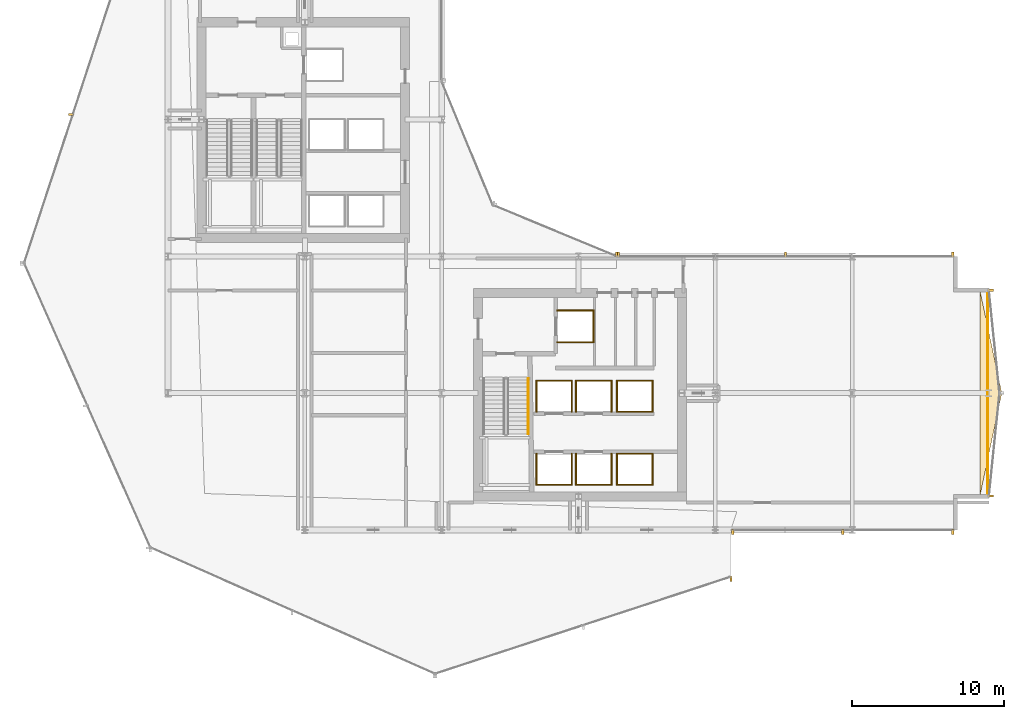
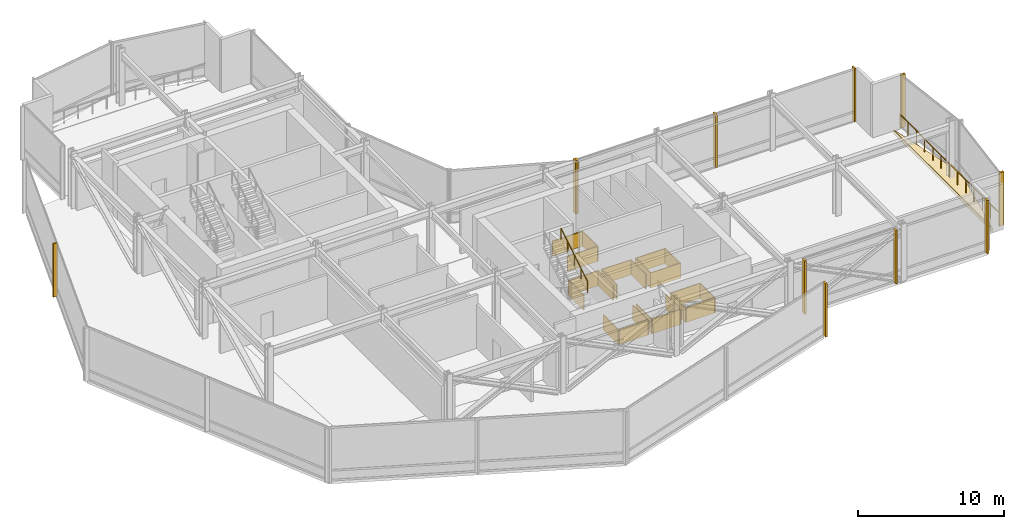
# One storey, part 40 of 42: 24 coverings, 11 shading devices, 2 railings.
"""IFC4 building model written with IfcOpenShell, lengths in metres."""

import ifcopenshell
import ifcopenshell.guid

model = None  # the IFC model being written
_history = None  # IfcOwnerHistory: only IFC2X3 demands one
_inside = {}  # id of a spatial element -> (the spatial element, [elements in it])
_under = {}  # id of a project, library or spatial element -> (it, [spatial elements below it])
_declared = {}  # id of a project -> (the project, [libraries it declares])
_typed = {}  # id of a type object -> (the type object, [elements of that type])
_made_of = {}  # id of a material, layer set ... -> (it, [elements and type objects made of it])


def new_model(schema):
    """Start an empty IFC model of exactly this schema.

    Asked for "IFC4X3", IfcOpenShell would pick the latest addendum, in which some entities
    have other attributes; the version numbers below select the first issue.
    IFC2X3 requires an IfcOwnerHistory on every rooted entity: one is made here for all.
    """
    global model, _history
    if schema == "IFC4X3":
        model = ifcopenshell.file(schema_version=(4, 3, 0, 0))
    else:
        model = ifcopenshell.file(schema=schema)
    _inside.clear()
    _under.clear()
    _declared.clear()
    _typed.clear()
    _made_of.clear()
    _history = None
    if model.schema == "IFC2X3":
        org = make("IfcOrganization", Name="unknown")
        user = make(
            "IfcPersonAndOrganization",
            ThePerson=make("IfcPerson", FamilyName="unknown"),
            TheOrganization=org,
        )
        app = make(
            "IfcApplication",
            ApplicationDeveloper=org,
            Version="unknown",
            ApplicationFullName="unknown",
            ApplicationIdentifier="unknown",
        )
        _history = make(
            "IfcOwnerHistory",
            OwningUser=user,
            OwningApplication=app,
            ChangeAction="ADDED",
            CreationDate=0,
        )
    return model


def make(cls, **values):
    """One entity of the class cls with the attributes given. An attribute that is None is left unset."""
    return model.create_entity(
        cls, **{name: value for name, value in values.items() if value is not None}
    )


def rooted(cls, **values):
    """An entity with a GlobalId (a new one), such as an element, a storey or a relation."""
    return make(cls, GlobalId=ifcopenshell.guid.new(), OwnerHistory=_history, **values)


def si_unit(unit_type, name, prefix=None):
    """IfcSIUnit, for example si_unit("LENGTHUNIT", "METRE", prefix="MILLI")."""
    return make("IfcSIUnit", UnitType=unit_type, Prefix=prefix, Name=name)


def assignment(units):
    """IfcUnitAssignment: the units of a project."""
    return None if units is None else make("IfcUnitAssignment", Units=units)


def point(xyz):
    """IfcCartesianPoint."""
    return None if xyz is None else make("IfcCartesianPoint", Coordinates=xyz)


def direction(xyz):
    """IfcDirection."""
    return None if xyz is None else make("IfcDirection", DirectionRatios=xyz)


def frame(location, z_axis=None, x_axis=None):
    """IfcAxis2Placement3D, a coordinate frame: its origin and axes. An axis left out is left unset."""
    return make(
        "IfcAxis2Placement3D",
        Location=point(location),
        Axis=direction(z_axis),
        RefDirection=direction(x_axis),
    )


def frame_2d(location, x_axis=None):
    """IfcAxis2Placement2D, a coordinate frame in the plane: its origin and x axis."""
    return make(
        "IfcAxis2Placement2D", Location=point(location), RefDirection=direction(x_axis)
    )


def origin():
    """The frame at (0, 0, 0) with its axes left unset."""
    return frame((0.0, 0.0, 0.0))


def origin_2d():
    """The frame at (0, 0) in the plane with its x axis left unset."""
    return frame_2d((0.0, 0.0))


def place(relative_to, where):
    """IfcLocalPlacement: puts the frame where relative to a parent placement (None: the world)."""
    return make(
        "IfcLocalPlacement", PlacementRelTo=relative_to, RelativePlacement=where
    )


def context(
    kind, dimensions, precision=None, world=None, true_north=None, identifier=None
):
    """IfcGeometricRepresentationContext, for example the 3D "Model" context."""
    return make(
        "IfcGeometricRepresentationContext",
        ContextIdentifier=identifier,
        ContextType=kind,
        CoordinateSpaceDimension=dimensions,
        Precision=precision,
        WorldCoordinateSystem=world,
        TrueNorth=true_north,
    )


def subcontext(parent, identifier, kind, view, scale=None):
    """IfcGeometricRepresentationSubContext, for example "Body" below "Model"."""
    return make(
        "IfcGeometricRepresentationSubContext",
        ContextIdentifier=identifier,
        ContextType=kind,
        ParentContext=parent,
        TargetScale=scale,
        TargetView=view,
    )


def project(units=None, contexts=None):
    """IfcProject with its units and contexts."""
    return rooted(
        "IfcProject",
        Name="project",
        RepresentationContexts=contexts,
        UnitsInContext=assignment(units),
    )


def spatial(cls, under=None, at=None, **own):
    """A site, building, storey or space (cls), placed at a placement, below another one or the project."""
    s = rooted(cls, ObjectPlacement=at, **own)
    if under is not None:
        _under.setdefault(under.id(), (under, []))[1].append(s)
    return s


def polyline(points):
    """IfcPolyline through the points."""
    return make("IfcPolyline", Points=[point(p) for p in points])


def profile(cls, at=None, kind="AREA", **sizes):
    """A parametric profile (cls). Its sizes go by their IFC names, for example OverallWidth=200.0."""
    return make(cls, ProfileType=kind, Position=at, **sizes)


def rectangle(**sizes):
    """IfcRectangleProfileDef."""
    return profile("IfcRectangleProfileDef", **sizes)


def circle(**sizes):
    """IfcCircleProfileDef."""
    return profile("IfcCircleProfileDef", **sizes)


def outline(outer, holes=None, kind="AREA"):
    """IfcArbitraryClosedProfileDef: a profile drawn as a closed curve; with holes, ...WithVoids."""
    if holes is None:
        return make("IfcArbitraryClosedProfileDef", ProfileType=kind, OuterCurve=outer)
    return make(
        "IfcArbitraryProfileDefWithVoids",
        ProfileType=kind,
        OuterCurve=outer,
        InnerCurves=holes,
    )


def extrude(swept, where, along, depth):
    """IfcExtrudedAreaSolid: the profile swept, set in the frame where, extruded along a direction by depth."""
    return make(
        "IfcExtrudedAreaSolid",
        SweptArea=swept,
        Position=where,
        ExtrudedDirection=direction(along),
        Depth=depth,
    )


def shape(context_of_items, identifier, shape_type, items):
    """IfcShapeRepresentation: the items that make up one representation, for example the "Body"."""
    return make(
        "IfcShapeRepresentation",
        ContextOfItems=context_of_items,
        RepresentationIdentifier=identifier,
        RepresentationType=shape_type,
        Items=items,
    )


def material(Name=None, Category=None):
    """IfcMaterial."""
    return make("IfcMaterial", Name=Name, Category=Category)


def layer(
    of_material, thickness, ventilated=None, Name=None, Category=None, Priority=None
):
    """IfcMaterialLayer: one layer of a wall or slab, of a material (None: an air gap)."""
    return make(
        "IfcMaterialLayer",
        Material=of_material,
        LayerThickness=thickness,
        IsVentilated=ventilated,
        Name=Name,
        Category=Category,
        Priority=Priority,
    )


def layer_set(layers, Name=None):
    """IfcMaterialLayerSet."""
    return make("IfcMaterialLayerSet", MaterialLayers=layers, LayerSetName=Name)


def made_of(thing, what):
    """Note that an element or type object is made of a material, layer set ...; save() writes the relation."""
    if what is not None:
        _made_of.setdefault(what.id(), (what, []))[1].append(thing)
    return thing


def type_object(cls, material=None, **own):
    """A type object (cls), such as IfcWallType, which elements share."""
    return made_of(rooted(cls, **own), material)


def element(
    cls,
    number,
    at=None,
    inside=None,
    cuts=None,
    type_object=None,
    material=None,
    context=None,
    identifier="Body",
    shape_type=None,
    held_by="IfcProductDefinitionShape",
    body=None,
    shapes=None,
    **own,
):
    """One element of the class cls, such as IfcWall. Its Tag is "e" and its number.

    at: its placement. inside: the storey or other place that contains it. cuts: it is an
    opening in that element (IfcRelVoidsElement). A single representation is given by context,
    identifier, shape_type and body (its items); several are given by shapes. held_by: the class
    of the entity that holds the representations. save() writes the other relations.
    """
    e = rooted(cls, Tag="e%d" % number, ObjectPlacement=at, **own)
    if body is not None:
        shapes = [shape(context, identifier, shape_type, body)]
    if shapes is not None:
        e.Representation = make(held_by, Representations=shapes)
    if inside is not None:
        _inside.setdefault(inside.id(), (inside, []))[1].append(e)
    if cuts is not None:
        rooted(
            "IfcRelVoidsElement", RelatingBuildingElement=cuts, RelatedOpeningElement=e
        )
    if type_object is not None:
        _typed.setdefault(type_object.id(), (type_object, []))[1].append(e)
    return made_of(e, material)


def aggregate(whole, parts):
    """IfcRelAggregates: a whole, such as a stair, and the parts it consists of."""
    return rooted("IfcRelAggregates", RelatingObject=whole, RelatedObjects=parts)


def save(model, path):
    """Write the relations noted so far, then the file.

    IfcRelAggregates (storeys below a building ...), IfcRelContainedInSpatialStructure (elements
    in a storey), IfcRelDefinesByType, IfcRelAssociatesMaterial and IfcRelDeclares: one each for
    every whole, place, type object, material and project.
    """
    for whole, parts in _under.values():
        aggregate(whole, parts)
    for where, things in _inside.values():
        rooted(
            "IfcRelContainedInSpatialStructure",
            RelatedElements=things,
            RelatingStructure=where,
        )
    for kind, things in _typed.values():
        rooted("IfcRelDefinesByType", RelatedObjects=things, RelatingType=kind)
    for what, things in _made_of.values():
        rooted("IfcRelAssociatesMaterial", RelatedObjects=things, RelatingMaterial=what)
    for by, libraries in _declared.values():
        rooted("IfcRelDeclares", RelatingContext=by, RelatedDefinitions=libraries)
    model.write(path)


model = new_model("IFC4")

# Units and contexts
model_context = context("Model", 3, precision=1e-05, world=origin(), true_north=direction((0.0, 1.0)))
body_context = subcontext(model_context, "Body", "Model", "MODEL_VIEW")
ifc_project = project(units=[si_unit("LENGTHUNIT", "METRE"), si_unit("AREAUNIT", "SQUARE_METRE"), si_unit("VOLUMEUNIT", "CUBIC_METRE"), si_unit("PLANEANGLEUNIT", "RADIAN"), si_unit("MASSUNIT", "GRAM", prefix="KILO")], contexts=[model_context])

# Site, building, storey
site_placement = place(None, origin())
site = spatial("IfcSite", under=ifc_project, at=site_placement, CompositionType="ELEMENT")
building_placement = place(site_placement, origin())
building = spatial("IfcBuilding", under=site, at=building_placement, Name="Solvaryn Broadcast Tower", CompositionType="ELEMENT")
storey_placement = place(building_placement, frame((0.0, 0.0, 100.199951171875)))
storey = spatial("IfcBuildingStorey", under=building, at=storey_placement, Name="L24", CompositionType="ELEMENT", Elevation=100.199951171875)

# Coverings
ifc_material_1 = material(Name="Fire-Rated Gypsum Shaftwall Liner", Category="concrete")
ifc_layer_1 = layer(ifc_material_1, 0.080078125)
ifc_layer_set_1 = layer_set([ifc_layer_1], Name="CV-SHAFT-LINER")
covering_type_1 = type_object("IfcCoveringType", Name="CV-SHAFT-LINER", PredefinedType="CLADDING", material=ifc_layer_set_1)
for number, where, z_axis, x_axis, name in (
    (1, (35.800048828125, 23.43994140625, 0.0), (0.0, 0.0, 1.0), (1.0, 0.0, 0.0), "L24 FL2 Hoistway Shaft Liner North"),
    (2, (35.800048828125, 21.360107421875, 0.0), (0.0, 0.0, 1.0), (1.0, 0.0, 0.0), "L24 FL2 Hoistway Shaft Liner South"),
):
    element("IfcCovering", number, at=place(storey_placement, frame(where, z_axis=z_axis, x_axis=x_axis)), inside=storey, type_object=covering_type_1, Name=name, PredefinedType="CLADDING", context=body_context, shape_type="SweptSolid", body=[
        extrude(rectangle(XDim=2.4599609375, YDim=0.080078125, at=origin_2d()), origin(), (0.0, 0.0, 1.0), 1.25),
    ])
covering_1_placement = place(storey_placement, frame((36.989990234375, 22.39990234375, 0.0), z_axis=(0.0, 0.0, 1.0), x_axis=(1.0, 0.0, 0.0)))
element("IfcCovering", 3, at=covering_1_placement, inside=storey, type_object=covering_type_1, Name="L24 FL2 Hoistway Shaft Liner East", PredefinedType="CLADDING", context=body_context, shape_type="SweptSolid", body=[
    extrude(rectangle(XDim=0.080078125, YDim=2.159912109375, at=origin_2d()), origin(), (0.0, 0.0, 1.0), 1.25),
])
covering_2_placement = place(storey_placement, frame((34.39990234375, 11.985107421875, 0.0), z_axis=(0.0, 0.0, 1.0), x_axis=(1.0, 0.0, 0.0)))
element("IfcCovering", 4, at=covering_2_placement, inside=storey, type_object=covering_type_1, Name="L24 PL1 Hoistway Shaft Liner South", PredefinedType="CLADDING", context=body_context, shape_type="SweptSolid", body=[
    extrude(rectangle(XDim=2.409912109375, YDim=0.080078125, at=origin_2d()), origin(), (0.0, 0.0, 1.0), 1.25),
])
for number, where, z_axis, x_axis, name in (
    (5, (35.56494140625, 13.0, 0.0), (0.0, 0.0, 1.0), (1.0, 0.0, 0.0), "L24 PL1 Hoistway Shaft Liner East"),
    (6, (33.235107421875, 13.0, 0.0), (0.0, 0.0, 1.0), (1.0, 0.0, 0.0), "L24 PL1 Hoistway Shaft Liner West"),
):
    element("IfcCovering", number, at=place(storey_placement, frame(where, z_axis=z_axis, x_axis=x_axis)), inside=storey, type_object=covering_type_1, Name=name, PredefinedType="CLADDING", context=body_context, shape_type="SweptSolid", body=[
        extrude(rectangle(XDim=0.080078125, YDim=2.110107421875, at=origin_2d()), origin(), (0.0, 0.0, 1.0), 1.25),
    ])
covering_3_placement = place(storey_placement, frame((37.0, 11.985107421875, 0.0), z_axis=(0.0, 0.0, 1.0), x_axis=(1.0, 0.0, 0.0)))
element("IfcCovering", 7, at=covering_3_placement, inside=storey, type_object=covering_type_1, Name="L24 PL2 Hoistway Shaft Liner South", PredefinedType="CLADDING", context=body_context, shape_type="SweptSolid", body=[
    extrude(rectangle(XDim=2.409912109375, YDim=0.080078125, at=origin_2d()), origin(), (0.0, 0.0, 1.0), 1.25),
])
for number, where, z_axis, x_axis, name in (
    (8, (38.1650390625, 13.0, 0.0), (0.0, 0.0, 1.0), (1.0, 0.0, 0.0), "L24 PL2 Hoistway Shaft Liner East"),
    (9, (35.8349609375, 13.0, 0.0), (0.0, 0.0, 1.0), (1.0, 0.0, 0.0), "L24 PL2 Hoistway Shaft Liner West"),
):
    element("IfcCovering", number, at=place(storey_placement, frame(where, z_axis=z_axis, x_axis=x_axis)), inside=storey, type_object=covering_type_1, Name=name, PredefinedType="CLADDING", context=body_context, shape_type="SweptSolid", body=[
        extrude(rectangle(XDim=0.080078125, YDim=2.110107421875, at=origin_2d()), origin(), (0.0, 0.0, 1.0), 1.25),
    ])
covering_4_placement = place(storey_placement, frame((34.39990234375, 18.81494140625, 0.0), z_axis=(0.0, 0.0, 1.0), x_axis=(1.0, 0.0, 0.0)))
element("IfcCovering", 10, at=covering_4_placement, inside=storey, type_object=covering_type_1, Name="L24 PL3 Hoistway Shaft Liner North", PredefinedType="CLADDING", context=body_context, shape_type="SweptSolid", body=[
    extrude(rectangle(XDim=2.409912109375, YDim=0.080078125, at=origin_2d()), origin(), (0.0, 0.0, 1.0), 1.25),
])
for number, where, z_axis, x_axis, name in (
    (11, (35.56494140625, 17.800048828125, 0.0), (0.0, 0.0, 1.0), (1.0, 0.0, 0.0), "L24 PL3 Hoistway Shaft Liner East"),
    (12, (33.235107421875, 17.800048828125, 0.0), (0.0, 0.0, 1.0), (1.0, 0.0, 0.0), "L24 PL3 Hoistway Shaft Liner West"),
):
    element("IfcCovering", number, at=place(storey_placement, frame(where, z_axis=z_axis, x_axis=x_axis)), inside=storey, type_object=covering_type_1, Name=name, PredefinedType="CLADDING", context=body_context, shape_type="SweptSolid", body=[
        extrude(rectangle(XDim=0.080078125, YDim=2.110107421875, at=origin_2d()), origin(), (0.0, 0.0, 1.0), 1.25),
    ])
covering_5_placement = place(storey_placement, frame((37.0, 18.81494140625, 0.0), z_axis=(0.0, 0.0, 1.0), x_axis=(1.0, 0.0, 0.0)))
element("IfcCovering", 13, at=covering_5_placement, inside=storey, type_object=covering_type_1, Name="L24 PL4 Hoistway Shaft Liner North", PredefinedType="CLADDING", context=body_context, shape_type="SweptSolid", body=[
    extrude(rectangle(XDim=2.409912109375, YDim=0.080078125, at=origin_2d()), origin(), (0.0, 0.0, 1.0), 1.25),
])
for number, where, z_axis, x_axis, name in (
    (14, (38.1650390625, 17.800048828125, 0.0), (0.0, 0.0, 1.0), (1.0, 0.0, 0.0), "L24 PL4 Hoistway Shaft Liner East"),
    (15, (35.8349609375, 17.800048828125, 0.0), (0.0, 0.0, 1.0), (1.0, 0.0, 0.0), "L24 PL4 Hoistway Shaft Liner West"),
):
    element("IfcCovering", number, at=place(storey_placement, frame(where, z_axis=z_axis, x_axis=x_axis)), inside=storey, type_object=covering_type_1, Name=name, PredefinedType="CLADDING", context=body_context, shape_type="SweptSolid", body=[
        extrude(rectangle(XDim=0.080078125, YDim=2.110107421875, at=origin_2d()), origin(), (0.0, 0.0, 1.0), 1.25),
    ])
for number, where, z_axis, x_axis, name in (
    (16, (39.699951171875, 14.014892578125, 0.0), (0.0, 0.0, 1.0), (1.0, 0.0, 0.0), "L24 PM1 Hoistway Shaft Liner North"),
    (17, (39.699951171875, 11.985107421875, 0.0), (0.0, 0.0, 1.0), (1.0, 0.0, 0.0), "L24 PM1 Hoistway Shaft Liner South"),
):
    element("IfcCovering", number, at=place(storey_placement, frame(where, z_axis=z_axis, x_axis=x_axis)), inside=storey, type_object=covering_type_1, Name=name, PredefinedType="CLADDING", context=body_context, shape_type="SweptSolid", body=[
        extrude(rectangle(XDim=2.409912109375, YDim=0.080078125, at=origin_2d()), origin(), (0.0, 0.0, 1.0), 1.25),
    ])
for number, where, z_axis, x_axis, name in (
    (18, (40.864990234375, 13.0, 0.0), (0.0, 0.0, 1.0), (1.0, 0.0, 0.0), "L24 PM1 Hoistway Shaft Liner East"),
    (19, (38.534912109375, 13.0, 0.0), (0.0, 0.0, 1.0), (1.0, 0.0, 0.0), "L24 PM1 Hoistway Shaft Liner West"),
):
    element("IfcCovering", number, at=place(storey_placement, frame(where, z_axis=z_axis, x_axis=x_axis)), inside=storey, type_object=covering_type_1, Name=name, PredefinedType="CLADDING", context=body_context, shape_type="SweptSolid", body=[
        extrude(rectangle(XDim=0.080078125, YDim=2.110107421875, at=origin_2d()), origin(), (0.0, 0.0, 1.0), 1.25),
    ])
for number, where, z_axis, x_axis, name in (
    (20, (39.699951171875, 18.81494140625, 0.0), (0.0, 0.0, 1.0), (1.0, 0.0, 0.0), "L24 PM2 Hoistway Shaft Liner North"),
    (21, (39.699951171875, 16.784912109375, 0.0), (0.0, 0.0, 1.0), (1.0, 0.0, 0.0), "L24 PM2 Hoistway Shaft Liner South"),
):
    element("IfcCovering", number, at=place(storey_placement, frame(where, z_axis=z_axis, x_axis=x_axis)), inside=storey, type_object=covering_type_1, Name=name, PredefinedType="CLADDING", context=body_context, shape_type="SweptSolid", body=[
        extrude(rectangle(XDim=2.409912109375, YDim=0.080078125, at=origin_2d()), origin(), (0.0, 0.0, 1.0), 1.25),
    ])
for number, where, z_axis, x_axis, name in (
    (22, (40.864990234375, 17.800048828125, 0.0), (0.0, 0.0, 1.0), (1.0, 0.0, 0.0), "L24 PM2 Hoistway Shaft Liner East"),
    (23, (38.534912109375, 17.800048828125, 0.0), (0.0, 0.0, 1.0), (1.0, 0.0, 0.0), "L24 PM2 Hoistway Shaft Liner West"),
):
    element("IfcCovering", number, at=place(storey_placement, frame(where, z_axis=z_axis, x_axis=x_axis)), inside=storey, type_object=covering_type_1, Name=name, PredefinedType="CLADDING", context=body_context, shape_type="SweptSolid", body=[
        extrude(rectangle(XDim=0.080078125, YDim=2.110107421875, at=origin_2d()), origin(), (0.0, 0.0, 1.0), 1.25),
    ])
ifc_material_2 = material(Name="Sculpted Architectural Terracotta Wave Fascia", Category="masonry")
ifc_layer_2 = layer(ifc_material_2, 0.340087890625)
ifc_layer_set_2 = layer_set([ifc_layer_2], Name="CV-WAVE-TRAY")
covering_type_2 = type_object("IfcCoveringType", Name="CV-WAVE-TRAY", PredefinedType="CLADDING", material=ifc_layer_set_2)
covering_6_placement = place(storey_placement, frame((0.0, 0.0, -0.300048828125)))
element("IfcCovering", 24, at=covering_6_placement, inside=storey, type_object=covering_type_2, Name="L24 East Curved Wing Deck", PredefinedType="CLADDING", context=body_context, shape_type="SweptSolid", body=[
    extrude(outline(polyline([(62.39990234375, 11.199951171875), (63.85009765625, 18.0), (62.39990234375, 24.800048828125), (62.39990234375, 11.199951171875)])), origin(), (0.0, 0.0, 1.0), 0.330078125),
])

# Railings
ifc_material_3 = material(Name="Brushed Stainless Steel Tubular Handrail", Category="steel")
railing_type_1 = type_object("IfcRailingType", Name="RL-STAIR-HANDRAIL", PredefinedType="HANDRAIL", material=ifc_material_3)
railing_1_placement = place(storey_placement, frame((32.699951171875, 15.320068359375, 2.571533203125)))
element("IfcRailing", 25, at=railing_1_placement, inside=storey, type_object=railing_type_1, Name="L24 ST3 stair handrail 2", PredefinedType="HANDRAIL", context=body_context, shape_type="SweptSolid", body=[
    extrude(circle(Radius=0.02392578125, at=origin_2d()), frame((0.0, 0.0, 0.8759765625), z_axis=(0.0, 0.852850264322, 0.5221555579), x_axis=(-1.0, 0.0, 0.0)), (0.0, 0.0, 1.0), 4.267822265625),
    extrude(circle(Radius=0.02099609375, at=origin_2d()), origin(), (0.0, 0.0, 1.0), 0.851806640625),
    extrude(circle(Radius=0.02099609375, at=origin_2d()), frame((0.0, 0.909912109375, 0.55712890625)), (0.0, 0.0, 1.0), 0.851806640625),
    extrude(circle(Radius=0.02099609375, at=origin_2d()), frame((0.0, 1.81982421875, 1.1142578125)), (0.0, 0.0, 1.0), 0.851806640625),
    extrude(circle(Radius=0.02099609375, at=origin_2d()), frame((0.0, 2.72998046875, 1.67138671875)), (0.0, 0.0, 1.0), 0.851806640625),
    extrude(circle(Radius=0.02099609375, at=origin_2d()), frame((0.0, 3.639892578125, 2.228515625)), (0.0, 0.0, 1.0), 0.851806640625),
])
ifc_material_4 = material(Name="Stainless Steel and Laminated Glass Guard", Category="steel")
railing_type_2 = type_object("IfcRailingType", Name="RL-TER-1150", PredefinedType="BALUSTRADE", material=ifc_material_4)
railing_2_placement = place(storey_placement, frame((62.919921875, 11.199951171875, 0.0)))
element("IfcRailing", 26, at=railing_2_placement, inside=storey, type_object=railing_type_2, Name="L24 East Wing Spandrel Edge Guard", PredefinedType="BALUSTRADE", context=body_context, shape_type="SweptSolid", body=[
    extrude(circle(Radius=0.02392578125, at=origin_2d()), frame((0.0, 0.0, 1.1259765625), z_axis=(0.0, 1.0, 0.0), x_axis=(-1.0, 0.0, 0.0)), (0.0, 0.0, 1.0), 13.60009765625),
    extrude(circle(Radius=0.02099609375, at=origin_2d()), origin(), (0.0, 0.0, 1.0), 1.101806640625),
    extrude(circle(Radius=0.02099609375, at=origin_2d()), frame((0.0, 1.13330078125, 0.0)), (0.0, 0.0, 1.0), 1.101806640625),
    extrude(circle(Radius=0.02099609375, at=origin_2d()), frame((0.0, 2.2666015625, 0.0)), (0.0, 0.0, 1.0), 1.101806640625),
    extrude(circle(Radius=0.02099609375, at=origin_2d()), frame((0.0, 3.39990234375, 0.0)), (0.0, 0.0, 1.0), 1.101806640625),
    extrude(circle(Radius=0.02099609375, at=origin_2d()), frame((0.0, 4.533447265625, 0.0)), (0.0, 0.0, 1.0), 1.101806640625),
    extrude(circle(Radius=0.02099609375, at=origin_2d()), frame((0.0, 5.666748046875, 0.0)), (0.0, 0.0, 1.0), 1.101806640625),
    extrude(circle(Radius=0.02099609375, at=origin_2d()), frame((0.0, 6.800048828125, 0.0)), (0.0, 0.0, 1.0), 1.101806640625),
    extrude(circle(Radius=0.02099609375, at=origin_2d()), frame((0.0, 7.933349609375, 0.0)), (0.0, 0.0, 1.0), 1.101806640625),
    extrude(circle(Radius=0.02099609375, at=origin_2d()), frame((0.0, 9.066650390625, 0.0)), (0.0, 0.0, 1.0), 1.101806640625),
    extrude(circle(Radius=0.02099609375, at=origin_2d()), frame((0.0, 10.2001953125, 0.0)), (0.0, 0.0, 1.0), 1.101806640625),
    extrude(circle(Radius=0.02099609375, at=origin_2d()), frame((0.0, 11.33349609375, 0.0)), (0.0, 0.0, 1.0), 1.101806640625),
    extrude(circle(Radius=0.02099609375, at=origin_2d()), frame((0.0, 12.466796875, 0.0)), (0.0, 0.0, 1.0), 1.101806640625),
    extrude(circle(Radius=0.02099609375, at=origin_2d()), frame((0.0, 13.60009765625, 0.0)), (0.0, 0.0, 1.0), 1.101806640625),
])

# Shading devices
ifc_material_5 = material(Name="Anodised Aluminium Acoustic Louvre", Category="aluminium")
shading_device_type = type_object("IfcShadingDeviceType", Name="LV-01 Plant Intake Louvre", PredefinedType="USERDEFINED", material=ifc_material_5)
shading_device_placement = place(storey_placement, frame((2.612060546875, 36.325439453125, 0.0), z_axis=(0.0, 0.0, 1.0), x_axis=(1.0, 0.0, 0.0)))
element("IfcShadingDevice", 27, at=shading_device_placement, inside=storey, type_object=shading_device_type, Name="L24 Plant Acoustic Louvre LV-CW-L24-DR1/M01", ObjectType="LOUVRE", PredefinedType="USERDEFINED", context=body_context, shape_type="SweptSolid", body=[
    extrude(rectangle(XDim=0.340087890625, YDim=0.139892578125, at=origin_2d()), origin(), (0.0, 0.0, 1.0), 4.469970703125),
])
for number, where, z_axis, x_axis, name in (
    (28, (46.02490234375, 5.792724609375, 0.0), (0.0, 0.0, 1.0), (1.0, 0.0, 0.0), "L24 Plant Acoustic Louvre LV-CW-L24-DR4/M02"),
    (29, (38.518310546875, 27.12255859375, 0.0), (0.0, 0.0, 1.0), (1.0, 0.0, 0.0), "L24 Plant Acoustic Louvre LV-CW-L24-CN1/M00"),
    (30, (46.14599609375, 8.875, 0.0), (0.0, 0.0, 1.0), (1.0, 0.0, 0.0), "L24 Plant Acoustic Louvre LV-CW-L24-S2/M00"),
    (31, (53.383056640625, 8.875, 0.0), (0.0, 0.0, 1.0), (1.0, 0.0, 0.0), "L24 Plant Acoustic Louvre LV-CW-L24-S2/M01"),
    (32, (60.6201171875, 8.875, 0.0), (0.0, 0.0, 1.0), (1.0, 0.0, 0.0), "L24 Plant Acoustic Louvre LV-CW-L24-S2/M02"),
):
    element("IfcShadingDevice", number, at=place(storey_placement, frame(where, z_axis=z_axis, x_axis=x_axis)), inside=storey, type_object=shading_device_type, Name=name, ObjectType="LOUVRE", PredefinedType="USERDEFINED", context=body_context, shape_type="SweptSolid", body=[
        extrude(rectangle(XDim=0.139892578125, YDim=0.340087890625, at=origin_2d()), origin(), (0.0, 0.0, 1.0), 4.469970703125),
    ])
for number, where, z_axis, x_axis, name in (
    (33, (63.128173828125, 24.770263671875, 0.0), (0.0, 0.0, 1.0), (1.0, 0.0, 0.0), "L24 Plant Acoustic Louvre LV-CW-L24-ET1/M00"),
    (34, (63.128173828125, 11.229736328125, 0.0), (0.0, 0.0, 1.0), (1.0, 0.0, 0.0), "L24 Plant Acoustic Louvre LV-CW-L24-ET2/M01"),
):
    element("IfcShadingDevice", number, at=place(storey_placement, frame(where, z_axis=z_axis, x_axis=x_axis)), inside=storey, type_object=shading_device_type, Name=name, ObjectType="LOUVRE", PredefinedType="USERDEFINED", context=body_context, shape_type="SweptSolid", body=[
        extrude(rectangle(XDim=0.340087890625, YDim=0.139892578125, at=origin_2d()), origin(), (0.0, 0.0, 1.0), 4.469970703125),
    ])
for number, where, z_axis, x_axis, name in (
    (35, (38.6298828125, 27.125, 0.0), (0.0, 0.0, 1.0), (1.0, 0.0, 0.0), "L24 Plant Acoustic Louvre LV-CW-L24-IH/M00"),
    (36, (49.625, 27.125, 0.0), (0.0, 0.0, 1.0), (1.0, 0.0, 0.0), "L24 Plant Acoustic Louvre LV-CW-L24-IH/M01"),
    (37, (60.6201171875, 27.125, 0.0), (0.0, 0.0, 1.0), (1.0, 0.0, 0.0), "L24 Plant Acoustic Louvre LV-CW-L24-IH/M02"),
):
    element("IfcShadingDevice", number, at=place(storey_placement, frame(where, z_axis=z_axis, x_axis=x_axis)), inside=storey, type_object=shading_device_type, Name=name, ObjectType="LOUVRE", PredefinedType="USERDEFINED", context=body_context, shape_type="SweptSolid", body=[
        extrude(rectangle(XDim=0.139892578125, YDim=0.340087890625, at=origin_2d()), origin(), (0.0, 0.0, 1.0), 4.469970703125),
    ])

save(model, "model.ifc")
